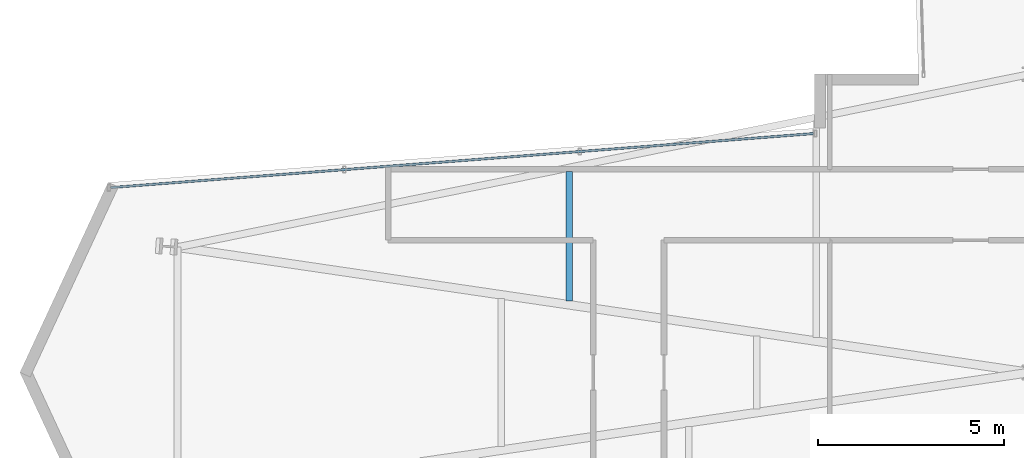
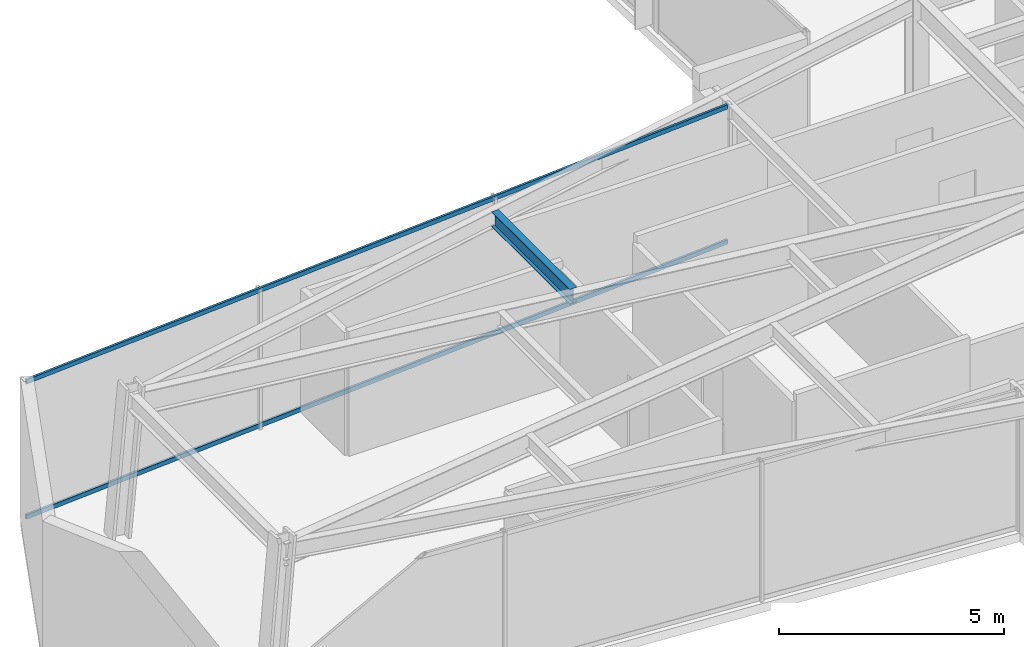
# One storey, part 9 of 28: 2 members, 1 beam, 1 element without a shape of its own.
"""IFC4 building model written with IfcOpenShell, lengths in metres."""

from ifc_helpers import new_model, si_unit, direction, frame, origin, origin_2d, place, context, subcontext, project, spatial, hollow_rectangle, i_section, extrude, material, layer, layer_set, material_profile, profile_set, type_object, element, aggregate, save


model = new_model("IFC4")

# Units and contexts
model_context = context("Model", 3, precision=1e-05, world=origin(), true_north=direction((0.0, 1.0)))
body_context = subcontext(model_context, "Body", "Model", "MODEL_VIEW")
ifc_project = project(units=[si_unit("LENGTHUNIT", "METRE"), si_unit("AREAUNIT", "SQUARE_METRE"), si_unit("VOLUMEUNIT", "CUBIC_METRE"), si_unit("PLANEANGLEUNIT", "RADIAN"), si_unit("MASSUNIT", "GRAM", prefix="KILO")], contexts=[model_context])

# Site, building, storey
site_placement = place(None, origin())
site = spatial("IfcSite", under=ifc_project, at=site_placement, CompositionType="ELEMENT")
building_placement = place(site_placement, origin())
building = spatial("IfcBuilding", under=site, at=building_placement, Name="Veymaron Broadcast Tower", CompositionType="ELEMENT")
storey_placement = place(building_placement, frame((0.0, 0.0, 45.89990234375)))
storey = spatial("IfcBuildingStorey", under=building, at=storey_placement, Name="L09", CompositionType="ELEMENT", Elevation=45.89990234375)

# Beam
ifc_material_1 = material(Name="Structural steel ASTM A992 Gr 50", Category="steel")
ifc_material_profile_1 = material_profile(ifc_material_1, i_section(OverallWidth=0.177978515625, OverallDepth=0.406982421875, WebThickness=0.0078125, FlangeThickness=0.0126953125, at=origin_2d()), Name="W410X60")
ifc_profile_set_1 = profile_set([ifc_material_profile_1], Name="Structural steel ASTM A992 Gr 50")
beam_type = type_object("IfcBeamType", Name="BM-JS1", PredefinedType="JOIST", material=ifc_profile_set_1)
beam_placement = place(storey_placement, frame((18.862060546875, 25.914306640625, 3.606689453125), z_axis=(0.0, 1.0, 0.0), x_axis=(-1.0, 0.0, 0.0)))
element("IfcBeam", 1, at=beam_placement, inside=storey, type_object=beam_type, Name="L09 Arm-A secondary joist 1N", PredefinedType="JOIST", context=body_context, shape_type="SweptSolid", body=[
    extrude(i_section(OverallWidth=0.177978515625, OverallDepth=0.406982421875, WebThickness=0.0078125, FlangeThickness=0.0126953125, at=origin_2d()), origin(), (0.0, 0.0, 1.0), 3.47998046875),
])

# Curtain wall, members
ifc_material_2 = material(Name="Anodised aluminium AA 6063-T6 and laminated low-E dark glass", Category="aluminium")
ifc_layer = layer(ifc_material_2, 0.179931640625)
ifc_layer_set = layer_set([ifc_layer], Name="Anodised aluminium AA 6063-T6 and laminated low-E dark glass")
curtain_wall_type = type_object("IfcCurtainWallType", Name="CW-SYS-02", PredefinedType="NOTDEFINED", material=ifc_layer_set)
curtain_wall_placement = place(storey_placement, origin())
curtain_wall = element("IfcCurtainWall", 2, at=curtain_wall_placement, inside=storey, type_object=curtain_wall_type, Name="L09 dark-glass curtain wall CW-L09-E11-1", PredefinedType="NOTDEFINED")
ifc_material_3 = material(Name="Anodised aluminium AA 6063-T6", Category="aluminium")
ifc_material_profile_2 = material_profile(ifc_material_3, hollow_rectangle(XDim=0.06005859375, YDim=0.1201171875, WallThickness=0.00390625, at=origin_2d()), Name="AL120X60X4")
ifc_profile_set_2 = profile_set([ifc_material_profile_2], Name="Anodised aluminium AA 6063-T6")
member_type = type_object("IfcMemberType", Name="CW-TRN-02", PredefinedType="USERDEFINED", material=ifc_profile_set_2)
member_1_placement = place(storey_placement, frame((25.40869140625, 30.408447265625, 0.070068359375), z_axis=(-0.997061015336, -0.076611563729, 0.0), x_axis=(0.076611563729, -0.997061015336, 0.0)))
member_1 = element("IfcMember", 3, at=member_1_placement, type_object=member_type, Name="CW-L09-E11-1 transom B", ObjectType="TRANSOM", PredefinedType="USERDEFINED", context=body_context, shape_type="SweptSolid", body=[
    extrude(hollow_rectangle(XDim=0.06005859375, YDim=0.1201171875, WallThickness=0.00390625, at=origin_2d()), origin(), (0.0, 0.0, 1.0), 18.90380859375),
])
member_2_placement = place(storey_placement, frame((25.40869140625, 30.408447265625, 3.739990234375), z_axis=(-0.997061015336, -0.076611563729, 0.0), x_axis=(0.076611563729, -0.997061015336, 0.0)))
member_2 = element("IfcMember", 4, at=member_2_placement, type_object=member_type, Name="CW-L09-E11-1 transom T", ObjectType="TRANSOM", PredefinedType="USERDEFINED", context=body_context, shape_type="SweptSolid", body=[
    extrude(hollow_rectangle(XDim=0.06005859375, YDim=0.1201171875, WallThickness=0.00390625, at=origin_2d()), origin(), (0.0, 0.0, 1.0), 18.90380859375),
])
aggregate(curtain_wall, [member_1, member_2])

save(model, "model.ifc")
